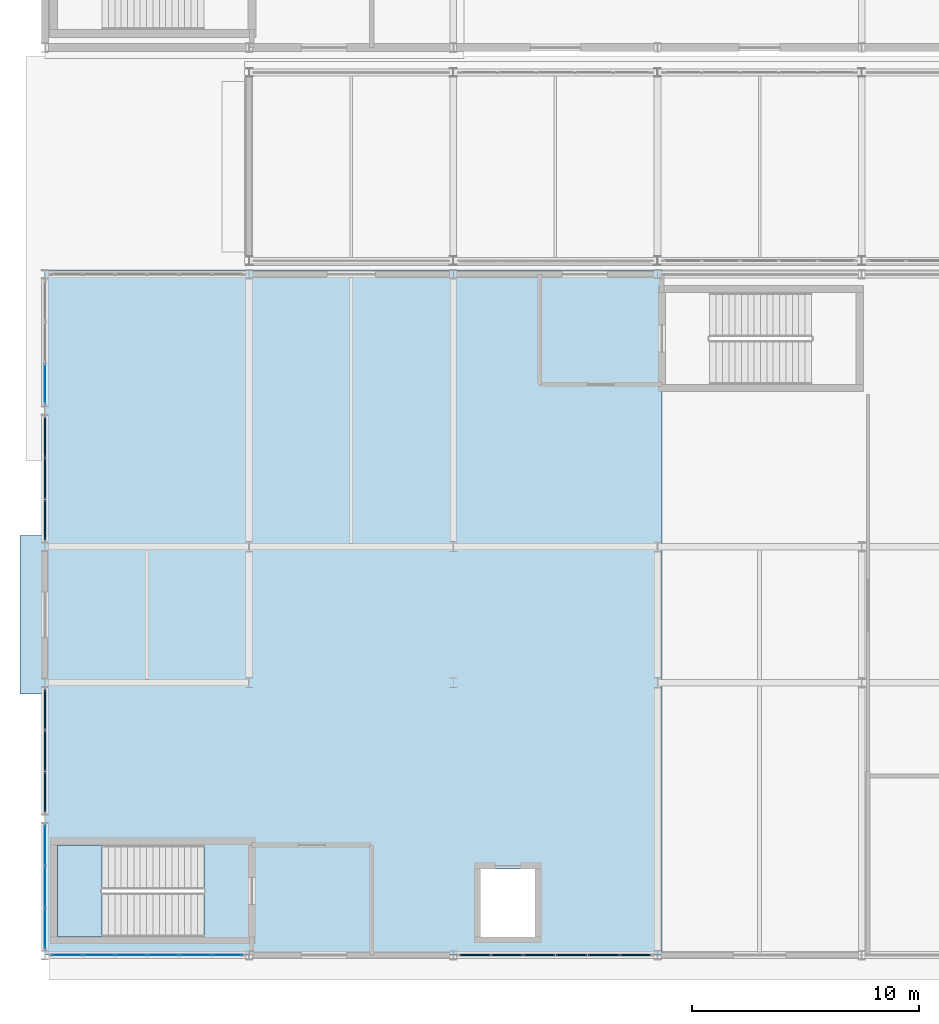
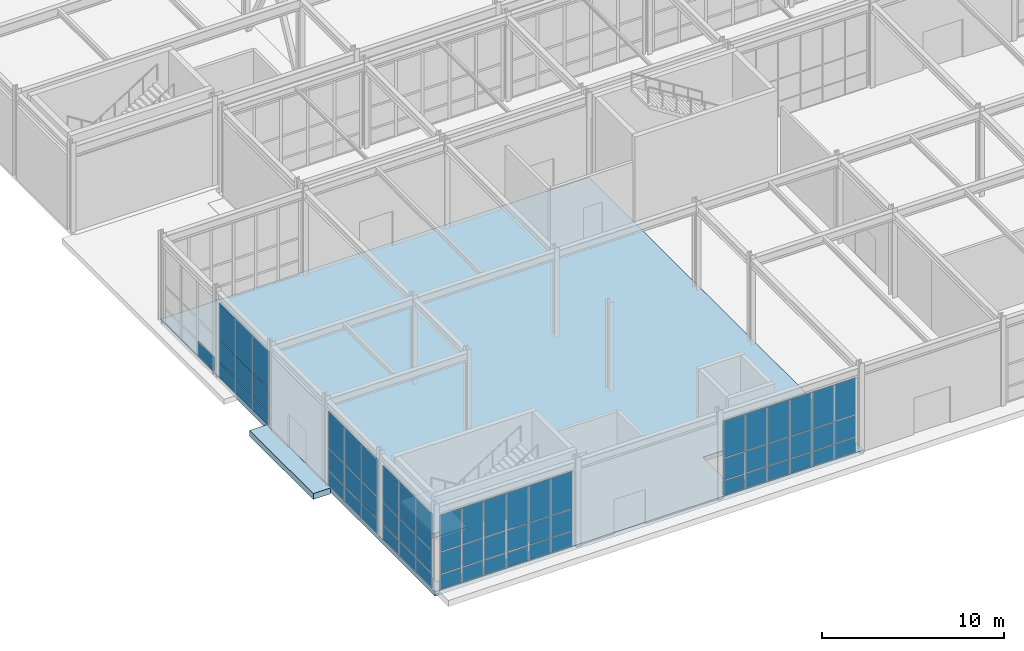
# One storey, part 101 of 146: 64 plates, 4 slabs, 7 elements without a shape of their own.
"""IFC4 building model written with IfcOpenShell, lengths in metres."""

from ifc_helpers import new_model, si_unit, direction, frame, origin, origin_2d, place, context, subcontext, project, spatial, polyline, rectangle, outline, extrude, material, layer, layer_set, type_object, element, aggregate, save


model = new_model("IFC4")

# Units and contexts
model_context = context("Model", 3, precision=1e-05, world=origin(), true_north=direction((0.0, 1.0)))
body_context = subcontext(model_context, "Body", "Model", "MODEL_VIEW")
ifc_project = project(units=[si_unit("LENGTHUNIT", "METRE"), si_unit("AREAUNIT", "SQUARE_METRE"), si_unit("VOLUMEUNIT", "CUBIC_METRE"), si_unit("PLANEANGLEUNIT", "RADIAN"), si_unit("MASSUNIT", "GRAM", prefix="KILO")], contexts=[model_context])

# Site, building, storey
site_placement = place(None, origin())
site = spatial("IfcSite", under=ifc_project, at=site_placement, CompositionType="ELEMENT")
building_placement = place(site_placement, origin())
building = spatial("IfcBuilding", under=site, at=building_placement, Name="Kaldris Quays Convention Centre", CompositionType="ELEMENT")
storey_placement = place(building_placement, origin())
storey = spatial("IfcBuildingStorey", under=building, at=storey_placement, Name="L00", CompositionType="ELEMENT", Elevation=0.0)

# Curtain wall, plate
ifc_material_1 = material(Name="Anodized aluminium AW-6060 and triple glazing", Category="aluminium")
curtain_wall_type_1 = type_object("IfcCurtainWallType", Name="UNITISED CURTAIN WALL CW05", PredefinedType="NOTDEFINED", material=ifc_material_1)
curtain_wall_1_placement = place(storey_placement, origin())
curtain_wall_1 = element("IfcCurtainWall", 1, at=curtain_wall_1_placement, inside=storey, type_object=curtain_wall_type_1, Name="L00 Unitised Curtain Wall CW05 57", PredefinedType="NOTDEFINED")
ifc_material_2 = material(Name="Triple low-E insulated glazing", Category="glass")
plate_type_1 = type_object("IfcPlateType", Name="CURTAIN GLAZING PANEL CWP1", PredefinedType="CURTAIN_PANEL", material=ifc_material_2)
plate_1_placement = place(storey_placement, frame((20.0, 41.181640625, 0.06005859375), z_axis=(0.0, 0.0, 1.0), x_axis=(0.0, 1.0, 0.0)))
plate_1 = element("IfcPlate", 2, at=plate_1_placement, type_object=plate_type_1, Name="CW05 panel 1.1", PredefinedType="CURTAIN_PANEL", context=body_context, shape_type="SweptSolid", body=[
    extrude(rectangle(XDim=1.743408203125, YDim=0.029052734375, at=origin_2d()), origin(), (0.0, 0.0, 1.0), 0.9599609375),
])
aggregate(curtain_wall_1, [plate_1])

# Curtain wall, plates
curtain_wall_type_2 = type_object("IfcCurtainWallType", Name="UNITISED CURTAIN WALL CW01", PredefinedType="NOTDEFINED", material=ifc_material_1)
curtain_wall_2_placement = place(storey_placement, origin())
curtain_wall_2 = element("IfcCurtainWall", 3, at=curtain_wall_2_placement, inside=storey, type_object=curtain_wall_type_2, Name="L00 Unitised Curtain Wall CW01 43", PredefinedType="NOTDEFINED")
plate_type_2 = type_object("IfcPlateType", Name="CURTAIN GLAZING PANEL CWP3", PredefinedType="CURTAIN_PANEL", material=ifc_material_2)
plate_2_placement = place(storey_placement, frame((20.973388671875, 16.0, 0.06005859375), z_axis=(0.0, 0.0, 1.0), x_axis=(1.0, 0.0, 0.0)))
plate_2 = element("IfcPlate", 4, at=plate_2_placement, type_object=plate_type_2, Name="CW01 panel 1.1", PredefinedType="CURTAIN_PANEL", context=body_context, shape_type="SweptSolid", body=[
    extrude(rectangle(XDim=1.32666015625, YDim=0.0390625, at=origin_2d()), origin(), (0.0, 0.0, 1.0), 0.9599609375),
])
plate_3_placement = place(storey_placement, frame((20.973388671875, 16.0, 1.080078125), z_axis=(0.0, 0.0, 1.0), x_axis=(1.0, 0.0, 0.0)))
plate_3 = element("IfcPlate", 5, at=plate_3_placement, type_object=plate_type_2, Name="CW01 panel 1.2", PredefinedType="CURTAIN_PANEL", context=body_context, shape_type="SweptSolid", body=[
    extrude(rectangle(XDim=1.32666015625, YDim=0.0390625, at=origin_2d()), origin(), (0.0, 0.0, 1.0), 1.43896484375),
])
plate_4_placement = place(storey_placement, frame((20.973388671875, 16.0, 2.5791015625), z_axis=(0.0, 0.0, 1.0), x_axis=(1.0, 0.0, 0.0)))
plate_4 = element("IfcPlate", 6, at=plate_4_placement, type_object=plate_type_2, Name="CW01 panel 1.3", PredefinedType="CURTAIN_PANEL", context=body_context, shape_type="SweptSolid", body=[
    extrude(rectangle(XDim=1.32666015625, YDim=0.0390625, at=origin_2d()), origin(), (0.0, 0.0, 1.0), 2.458984375),
])
plate_5_placement = place(storey_placement, frame((22.375, 16.0, 0.06005859375), z_axis=(0.0, 0.0, 1.0), x_axis=(1.0, 0.0, 0.0)))
plate_5 = element("IfcPlate", 7, at=plate_5_placement, type_object=plate_type_2, Name="CW01 panel 2.1", PredefinedType="CURTAIN_PANEL", context=body_context, shape_type="SweptSolid", body=[
    extrude(rectangle(XDim=1.356689453125, YDim=0.0390625, at=origin_2d()), origin(), (0.0, 0.0, 1.0), 0.9599609375),
])
plate_6_placement = place(storey_placement, frame((22.375, 16.0, 1.080078125), z_axis=(0.0, 0.0, 1.0), x_axis=(1.0, 0.0, 0.0)))
plate_6 = element("IfcPlate", 8, at=plate_6_placement, type_object=plate_type_2, Name="CW01 panel 2.2", PredefinedType="CURTAIN_PANEL", context=body_context, shape_type="SweptSolid", body=[
    extrude(rectangle(XDim=1.356689453125, YDim=0.0390625, at=origin_2d()), origin(), (0.0, 0.0, 1.0), 1.43896484375),
])
plate_7_placement = place(storey_placement, frame((22.375, 16.0, 2.5791015625), z_axis=(0.0, 0.0, 1.0), x_axis=(1.0, 0.0, 0.0)))
plate_7 = element("IfcPlate", 9, at=plate_7_placement, type_object=plate_type_2, Name="CW01 panel 2.3", PredefinedType="CURTAIN_PANEL", context=body_context, shape_type="SweptSolid", body=[
    extrude(rectangle(XDim=1.356689453125, YDim=0.0390625, at=origin_2d()), origin(), (0.0, 0.0, 1.0), 2.458984375),
])
plate_8_placement = place(storey_placement, frame((23.791748046875, 16.0, 0.06005859375), z_axis=(0.0, 0.0, 1.0), x_axis=(1.0, 0.0, 0.0)))
plate_8 = element("IfcPlate", 10, at=plate_8_placement, type_object=plate_type_2, Name="CW01 panel 3.1", PredefinedType="CURTAIN_PANEL", context=body_context, shape_type="SweptSolid", body=[
    extrude(rectangle(XDim=1.356689453125, YDim=0.0390625, at=origin_2d()), origin(), (0.0, 0.0, 1.0), 0.9599609375),
])
plate_9_placement = place(storey_placement, frame((23.791748046875, 16.0, 1.080078125), z_axis=(0.0, 0.0, 1.0), x_axis=(1.0, 0.0, 0.0)))
plate_9 = element("IfcPlate", 11, at=plate_9_placement, type_object=plate_type_2, Name="CW01 panel 3.2", PredefinedType="CURTAIN_PANEL", context=body_context, shape_type="SweptSolid", body=[
    extrude(rectangle(XDim=1.356689453125, YDim=0.0390625, at=origin_2d()), origin(), (0.0, 0.0, 1.0), 1.43896484375),
])
plate_10_placement = place(storey_placement, frame((23.791748046875, 16.0, 2.5791015625), z_axis=(0.0, 0.0, 1.0), x_axis=(1.0, 0.0, 0.0)))
plate_10 = element("IfcPlate", 12, at=plate_10_placement, type_object=plate_type_2, Name="CW01 panel 3.3", PredefinedType="CURTAIN_PANEL", context=body_context, shape_type="SweptSolid", body=[
    extrude(rectangle(XDim=1.356689453125, YDim=0.0390625, at=origin_2d()), origin(), (0.0, 0.0, 1.0), 2.458984375),
])
plate_11_placement = place(storey_placement, frame((25.208251953125, 16.0, 0.06005859375), z_axis=(0.0, 0.0, 1.0), x_axis=(1.0, 0.0, 0.0)))
plate_11 = element("IfcPlate", 13, at=plate_11_placement, type_object=plate_type_2, Name="CW01 panel 4.1", PredefinedType="CURTAIN_PANEL", context=body_context, shape_type="SweptSolid", body=[
    extrude(rectangle(XDim=1.356689453125, YDim=0.0390625, at=origin_2d()), origin(), (0.0, 0.0, 1.0), 0.9599609375),
])
plate_12_placement = place(storey_placement, frame((25.208251953125, 16.0, 1.080078125), z_axis=(0.0, 0.0, 1.0), x_axis=(1.0, 0.0, 0.0)))
plate_12 = element("IfcPlate", 14, at=plate_12_placement, type_object=plate_type_2, Name="CW01 panel 4.2", PredefinedType="CURTAIN_PANEL", context=body_context, shape_type="SweptSolid", body=[
    extrude(rectangle(XDim=1.356689453125, YDim=0.0390625, at=origin_2d()), origin(), (0.0, 0.0, 1.0), 1.43896484375),
])
plate_13_placement = place(storey_placement, frame((25.208251953125, 16.0, 2.5791015625), z_axis=(0.0, 0.0, 1.0), x_axis=(1.0, 0.0, 0.0)))
plate_13 = element("IfcPlate", 15, at=plate_13_placement, type_object=plate_type_2, Name="CW01 panel 4.3", PredefinedType="CURTAIN_PANEL", context=body_context, shape_type="SweptSolid", body=[
    extrude(rectangle(XDim=1.356689453125, YDim=0.0390625, at=origin_2d()), origin(), (0.0, 0.0, 1.0), 2.458984375),
])
plate_14_placement = place(storey_placement, frame((26.625, 16.0, 0.06005859375), z_axis=(0.0, 0.0, 1.0), x_axis=(1.0, 0.0, 0.0)))
plate_14 = element("IfcPlate", 16, at=plate_14_placement, type_object=plate_type_2, Name="CW01 panel 5.1", PredefinedType="CURTAIN_PANEL", context=body_context, shape_type="SweptSolid", body=[
    extrude(rectangle(XDim=1.356689453125, YDim=0.0390625, at=origin_2d()), origin(), (0.0, 0.0, 1.0), 0.9599609375),
])
plate_15_placement = place(storey_placement, frame((26.625, 16.0, 1.080078125), z_axis=(0.0, 0.0, 1.0), x_axis=(1.0, 0.0, 0.0)))
plate_15 = element("IfcPlate", 17, at=plate_15_placement, type_object=plate_type_2, Name="CW01 panel 5.2", PredefinedType="CURTAIN_PANEL", context=body_context, shape_type="SweptSolid", body=[
    extrude(rectangle(XDim=1.356689453125, YDim=0.0390625, at=origin_2d()), origin(), (0.0, 0.0, 1.0), 1.43896484375),
])
plate_16_placement = place(storey_placement, frame((26.625, 16.0, 2.5791015625), z_axis=(0.0, 0.0, 1.0), x_axis=(1.0, 0.0, 0.0)))
plate_16 = element("IfcPlate", 18, at=plate_16_placement, type_object=plate_type_2, Name="CW01 panel 5.3", PredefinedType="CURTAIN_PANEL", context=body_context, shape_type="SweptSolid", body=[
    extrude(rectangle(XDim=1.356689453125, YDim=0.0390625, at=origin_2d()), origin(), (0.0, 0.0, 1.0), 2.458984375),
])
plate_17_placement = place(storey_placement, frame((28.026611328125, 16.0, 0.06005859375), z_axis=(0.0, 0.0, 1.0), x_axis=(1.0, 0.0, 0.0)))
plate_17 = element("IfcPlate", 19, at=plate_17_placement, type_object=plate_type_2, Name="CW01 panel 6.1", PredefinedType="CURTAIN_PANEL", context=body_context, shape_type="SweptSolid", body=[
    extrude(rectangle(XDim=1.32666015625, YDim=0.0390625, at=origin_2d()), origin(), (0.0, 0.0, 1.0), 0.9599609375),
])
plate_18_placement = place(storey_placement, frame((28.026611328125, 16.0, 1.080078125), z_axis=(0.0, 0.0, 1.0), x_axis=(1.0, 0.0, 0.0)))
plate_18 = element("IfcPlate", 20, at=plate_18_placement, type_object=plate_type_2, Name="CW01 panel 6.2", PredefinedType="CURTAIN_PANEL", context=body_context, shape_type="SweptSolid", body=[
    extrude(rectangle(XDim=1.32666015625, YDim=0.0390625, at=origin_2d()), origin(), (0.0, 0.0, 1.0), 1.43896484375),
])
plate_19_placement = place(storey_placement, frame((28.026611328125, 16.0, 2.5791015625), z_axis=(0.0, 0.0, 1.0), x_axis=(1.0, 0.0, 0.0)))
plate_19 = element("IfcPlate", 21, at=plate_19_placement, type_object=plate_type_2, Name="CW01 panel 6.3", PredefinedType="CURTAIN_PANEL", context=body_context, shape_type="SweptSolid", body=[
    extrude(rectangle(XDim=1.32666015625, YDim=0.0390625, at=origin_2d()), origin(), (0.0, 0.0, 1.0), 2.458984375),
])
aggregate(curtain_wall_2, [plate_2, plate_3, plate_4, plate_5, plate_6, plate_7, plate_8, plate_9, plate_10, plate_11, plate_12, plate_13, plate_14, plate_15, plate_16, plate_17, plate_18, plate_19])

curtain_wall_3_placement = place(storey_placement, origin())
curtain_wall_3 = element("IfcCurtainWall", 22, at=curtain_wall_3_placement, inside=storey, type_object=curtain_wall_type_1, Name="L00 Unitised Curtain Wall CW05 51", PredefinedType="NOTDEFINED")
plate_20_placement = place(storey_placement, frame((20.0, 17.181640625, 0.06005859375), z_axis=(0.0, 0.0, 1.0), x_axis=(0.0, 1.0, 0.0)))
plate_20 = element("IfcPlate", 23, at=plate_20_placement, type_object=plate_type_2, Name="CW05 panel 1.1", PredefinedType="CURTAIN_PANEL", context=body_context, shape_type="SweptSolid", body=[
    extrude(rectangle(XDim=1.743408203125, YDim=0.0390625, at=origin_2d()), origin(), (0.0, 0.0, 1.0), 0.9599609375),
])
plate_21_placement = place(storey_placement, frame((20.0, 17.181640625, 1.080078125), z_axis=(0.0, 0.0, 1.0), x_axis=(0.0, 1.0, 0.0)))
plate_21 = element("IfcPlate", 24, at=plate_21_placement, type_object=plate_type_2, Name="CW05 panel 1.2", PredefinedType="CURTAIN_PANEL", context=body_context, shape_type="SweptSolid", body=[
    extrude(rectangle(XDim=1.743408203125, YDim=0.0390625, at=origin_2d()), origin(), (0.0, 0.0, 1.0), 1.43896484375),
])
plate_22_placement = place(storey_placement, frame((20.0, 17.181640625, 2.5791015625), z_axis=(0.0, 0.0, 1.0), x_axis=(0.0, 1.0, 0.0)))
plate_22 = element("IfcPlate", 25, at=plate_22_placement, type_object=plate_type_2, Name="CW05 panel 1.3", PredefinedType="CURTAIN_PANEL", context=body_context, shape_type="SweptSolid", body=[
    extrude(rectangle(XDim=1.743408203125, YDim=0.0390625, at=origin_2d()), origin(), (0.0, 0.0, 1.0), 2.458984375),
])
plate_23_placement = place(storey_placement, frame((20.0, 19.0, 0.06005859375), z_axis=(0.0, 0.0, 1.0), x_axis=(0.0, 1.0, 0.0)))
plate_23 = element("IfcPlate", 26, at=plate_23_placement, type_object=plate_type_2, Name="CW05 panel 2.1", PredefinedType="CURTAIN_PANEL", context=body_context, shape_type="SweptSolid", body=[
    extrude(rectangle(XDim=1.7734375, YDim=0.0390625, at=origin_2d()), origin(), (0.0, 0.0, 1.0), 0.9599609375),
])
plate_24_placement = place(storey_placement, frame((20.0, 19.0, 1.080078125), z_axis=(0.0, 0.0, 1.0), x_axis=(0.0, 1.0, 0.0)))
plate_24 = element("IfcPlate", 27, at=plate_24_placement, type_object=plate_type_2, Name="CW05 panel 2.2", PredefinedType="CURTAIN_PANEL", context=body_context, shape_type="SweptSolid", body=[
    extrude(rectangle(XDim=1.7734375, YDim=0.0390625, at=origin_2d()), origin(), (0.0, 0.0, 1.0), 1.43896484375),
])
plate_25_placement = place(storey_placement, frame((20.0, 19.0, 2.5791015625), z_axis=(0.0, 0.0, 1.0), x_axis=(0.0, 1.0, 0.0)))
plate_25 = element("IfcPlate", 28, at=plate_25_placement, type_object=plate_type_2, Name="CW05 panel 2.3", PredefinedType="CURTAIN_PANEL", context=body_context, shape_type="SweptSolid", body=[
    extrude(rectangle(XDim=1.7734375, YDim=0.0390625, at=origin_2d()), origin(), (0.0, 0.0, 1.0), 2.458984375),
])
plate_26_placement = place(storey_placement, frame((20.0, 20.818359375, 0.06005859375), z_axis=(0.0, 0.0, 1.0), x_axis=(0.0, 1.0, 0.0)))
plate_26 = element("IfcPlate", 29, at=plate_26_placement, type_object=plate_type_2, Name="CW05 panel 3.1", PredefinedType="CURTAIN_PANEL", context=body_context, shape_type="SweptSolid", body=[
    extrude(rectangle(XDim=1.743408203125, YDim=0.0390625, at=origin_2d()), origin(), (0.0, 0.0, 1.0), 0.9599609375),
])
plate_27_placement = place(storey_placement, frame((20.0, 20.818359375, 1.080078125), z_axis=(0.0, 0.0, 1.0), x_axis=(0.0, 1.0, 0.0)))
plate_27 = element("IfcPlate", 30, at=plate_27_placement, type_object=plate_type_2, Name="CW05 panel 3.2", PredefinedType="CURTAIN_PANEL", context=body_context, shape_type="SweptSolid", body=[
    extrude(rectangle(XDim=1.743408203125, YDim=0.0390625, at=origin_2d()), origin(), (0.0, 0.0, 1.0), 1.43896484375),
])
plate_28_placement = place(storey_placement, frame((20.0, 20.818359375, 2.5791015625), z_axis=(0.0, 0.0, 1.0), x_axis=(0.0, 1.0, 0.0)))
plate_28 = element("IfcPlate", 31, at=plate_28_placement, type_object=plate_type_2, Name="CW05 panel 3.3", PredefinedType="CURTAIN_PANEL", context=body_context, shape_type="SweptSolid", body=[
    extrude(rectangle(XDim=1.743408203125, YDim=0.0390625, at=origin_2d()), origin(), (0.0, 0.0, 1.0), 2.458984375),
])
aggregate(curtain_wall_3, [plate_20, plate_21, plate_22, plate_23, plate_24, plate_25, plate_26, plate_27, plate_28])

curtain_wall_4_placement = place(storey_placement, origin())
curtain_wall_4 = element("IfcCurtainWall", 32, at=curtain_wall_4_placement, inside=storey, type_object=curtain_wall_type_2, Name="L00 Unitised Curtain Wall CW01 45", PredefinedType="NOTDEFINED")
plate_type_3 = type_object("IfcPlateType", Name="CURTAIN GLAZING PANEL CWP5", PredefinedType="CURTAIN_PANEL", material=ifc_material_2)
plate_29_placement = place(storey_placement, frame((38.973388671875, 16.0, 0.06005859375), z_axis=(0.0, 0.0, 1.0), x_axis=(1.0, 0.0, 0.0)))
plate_29 = element("IfcPlate", 33, at=plate_29_placement, type_object=plate_type_3, Name="CW01 panel 1.1", PredefinedType="CURTAIN_PANEL", context=body_context, shape_type="SweptSolid", body=[
    extrude(rectangle(XDim=1.32666015625, YDim=0.049072265625, at=origin_2d()), origin(), (0.0, 0.0, 1.0), 0.9599609375),
])
plate_30_placement = place(storey_placement, frame((38.973388671875, 16.0, 1.080078125), z_axis=(0.0, 0.0, 1.0), x_axis=(1.0, 0.0, 0.0)))
plate_30 = element("IfcPlate", 34, at=plate_30_placement, type_object=plate_type_3, Name="CW01 panel 1.2", PredefinedType="CURTAIN_PANEL", context=body_context, shape_type="SweptSolid", body=[
    extrude(rectangle(XDim=1.32666015625, YDim=0.049072265625, at=origin_2d()), origin(), (0.0, 0.0, 1.0), 1.43896484375),
])
plate_31_placement = place(storey_placement, frame((38.973388671875, 16.0, 2.5791015625), z_axis=(0.0, 0.0, 1.0), x_axis=(1.0, 0.0, 0.0)))
plate_31 = element("IfcPlate", 35, at=plate_31_placement, type_object=plate_type_3, Name="CW01 panel 1.3", PredefinedType="CURTAIN_PANEL", context=body_context, shape_type="SweptSolid", body=[
    extrude(rectangle(XDim=1.32666015625, YDim=0.049072265625, at=origin_2d()), origin(), (0.0, 0.0, 1.0), 2.458984375),
])
plate_32_placement = place(storey_placement, frame((40.375, 16.0, 0.06005859375), z_axis=(0.0, 0.0, 1.0), x_axis=(1.0, 0.0, 0.0)))
plate_32 = element("IfcPlate", 36, at=plate_32_placement, type_object=plate_type_3, Name="CW01 panel 2.1", PredefinedType="CURTAIN_PANEL", context=body_context, shape_type="SweptSolid", body=[
    extrude(rectangle(XDim=1.356689453125, YDim=0.049072265625, at=origin_2d()), origin(), (0.0, 0.0, 1.0), 0.9599609375),
])
plate_33_placement = place(storey_placement, frame((40.375, 16.0, 1.080078125), z_axis=(0.0, 0.0, 1.0), x_axis=(1.0, 0.0, 0.0)))
plate_33 = element("IfcPlate", 37, at=plate_33_placement, type_object=plate_type_3, Name="CW01 panel 2.2", PredefinedType="CURTAIN_PANEL", context=body_context, shape_type="SweptSolid", body=[
    extrude(rectangle(XDim=1.356689453125, YDim=0.049072265625, at=origin_2d()), origin(), (0.0, 0.0, 1.0), 1.43896484375),
])
plate_34_placement = place(storey_placement, frame((40.375, 16.0, 2.5791015625), z_axis=(0.0, 0.0, 1.0), x_axis=(1.0, 0.0, 0.0)))
plate_34 = element("IfcPlate", 38, at=plate_34_placement, type_object=plate_type_3, Name="CW01 panel 2.3", PredefinedType="CURTAIN_PANEL", context=body_context, shape_type="SweptSolid", body=[
    extrude(rectangle(XDim=1.356689453125, YDim=0.049072265625, at=origin_2d()), origin(), (0.0, 0.0, 1.0), 2.458984375),
])
plate_35_placement = place(storey_placement, frame((41.791748046875, 16.0, 0.06005859375), z_axis=(0.0, 0.0, 1.0), x_axis=(1.0, 0.0, 0.0)))
plate_35 = element("IfcPlate", 39, at=plate_35_placement, type_object=plate_type_3, Name="CW01 panel 3.1", PredefinedType="CURTAIN_PANEL", context=body_context, shape_type="SweptSolid", body=[
    extrude(rectangle(XDim=1.356689453125, YDim=0.049072265625, at=origin_2d()), origin(), (0.0, 0.0, 1.0), 0.9599609375),
])
plate_36_placement = place(storey_placement, frame((41.791748046875, 16.0, 1.080078125), z_axis=(0.0, 0.0, 1.0), x_axis=(1.0, 0.0, 0.0)))
plate_36 = element("IfcPlate", 40, at=plate_36_placement, type_object=plate_type_3, Name="CW01 panel 3.2", PredefinedType="CURTAIN_PANEL", context=body_context, shape_type="SweptSolid", body=[
    extrude(rectangle(XDim=1.356689453125, YDim=0.049072265625, at=origin_2d()), origin(), (0.0, 0.0, 1.0), 1.43896484375),
])
plate_37_placement = place(storey_placement, frame((41.791748046875, 16.0, 2.5791015625), z_axis=(0.0, 0.0, 1.0), x_axis=(1.0, 0.0, 0.0)))
plate_37 = element("IfcPlate", 41, at=plate_37_placement, type_object=plate_type_3, Name="CW01 panel 3.3", PredefinedType="CURTAIN_PANEL", context=body_context, shape_type="SweptSolid", body=[
    extrude(rectangle(XDim=1.356689453125, YDim=0.049072265625, at=origin_2d()), origin(), (0.0, 0.0, 1.0), 2.458984375),
])
plate_38_placement = place(storey_placement, frame((43.208251953125, 16.0, 0.06005859375), z_axis=(0.0, 0.0, 1.0), x_axis=(1.0, 0.0, 0.0)))
plate_38 = element("IfcPlate", 42, at=plate_38_placement, type_object=plate_type_3, Name="CW01 panel 4.1", PredefinedType="CURTAIN_PANEL", context=body_context, shape_type="SweptSolid", body=[
    extrude(rectangle(XDim=1.356689453125, YDim=0.049072265625, at=origin_2d()), origin(), (0.0, 0.0, 1.0), 0.9599609375),
])
plate_39_placement = place(storey_placement, frame((43.208251953125, 16.0, 1.080078125), z_axis=(0.0, 0.0, 1.0), x_axis=(1.0, 0.0, 0.0)))
plate_39 = element("IfcPlate", 43, at=plate_39_placement, type_object=plate_type_3, Name="CW01 panel 4.2", PredefinedType="CURTAIN_PANEL", context=body_context, shape_type="SweptSolid", body=[
    extrude(rectangle(XDim=1.356689453125, YDim=0.049072265625, at=origin_2d()), origin(), (0.0, 0.0, 1.0), 1.43896484375),
])
plate_40_placement = place(storey_placement, frame((43.208251953125, 16.0, 2.5791015625), z_axis=(0.0, 0.0, 1.0), x_axis=(1.0, 0.0, 0.0)))
plate_40 = element("IfcPlate", 44, at=plate_40_placement, type_object=plate_type_3, Name="CW01 panel 4.3", PredefinedType="CURTAIN_PANEL", context=body_context, shape_type="SweptSolid", body=[
    extrude(rectangle(XDim=1.356689453125, YDim=0.049072265625, at=origin_2d()), origin(), (0.0, 0.0, 1.0), 2.458984375),
])
plate_41_placement = place(storey_placement, frame((44.625, 16.0, 0.06005859375), z_axis=(0.0, 0.0, 1.0), x_axis=(1.0, 0.0, 0.0)))
plate_41 = element("IfcPlate", 45, at=plate_41_placement, type_object=plate_type_3, Name="CW01 panel 5.1", PredefinedType="CURTAIN_PANEL", context=body_context, shape_type="SweptSolid", body=[
    extrude(rectangle(XDim=1.356689453125, YDim=0.049072265625, at=origin_2d()), origin(), (0.0, 0.0, 1.0), 0.9599609375),
])
plate_42_placement = place(storey_placement, frame((44.625, 16.0, 1.080078125), z_axis=(0.0, 0.0, 1.0), x_axis=(1.0, 0.0, 0.0)))
plate_42 = element("IfcPlate", 46, at=plate_42_placement, type_object=plate_type_3, Name="CW01 panel 5.2", PredefinedType="CURTAIN_PANEL", context=body_context, shape_type="SweptSolid", body=[
    extrude(rectangle(XDim=1.356689453125, YDim=0.049072265625, at=origin_2d()), origin(), (0.0, 0.0, 1.0), 1.43896484375),
])
plate_43_placement = place(storey_placement, frame((44.625, 16.0, 2.5791015625), z_axis=(0.0, 0.0, 1.0), x_axis=(1.0, 0.0, 0.0)))
plate_43 = element("IfcPlate", 47, at=plate_43_placement, type_object=plate_type_3, Name="CW01 panel 5.3", PredefinedType="CURTAIN_PANEL", context=body_context, shape_type="SweptSolid", body=[
    extrude(rectangle(XDim=1.356689453125, YDim=0.049072265625, at=origin_2d()), origin(), (0.0, 0.0, 1.0), 2.458984375),
])
plate_44_placement = place(storey_placement, frame((46.026611328125, 16.0, 0.06005859375), z_axis=(0.0, 0.0, 1.0), x_axis=(1.0, 0.0, 0.0)))
plate_44 = element("IfcPlate", 48, at=plate_44_placement, type_object=plate_type_3, Name="CW01 panel 6.1", PredefinedType="CURTAIN_PANEL", context=body_context, shape_type="SweptSolid", body=[
    extrude(rectangle(XDim=1.32666015625, YDim=0.049072265625, at=origin_2d()), origin(), (0.0, 0.0, 1.0), 0.9599609375),
])
plate_45_placement = place(storey_placement, frame((46.026611328125, 16.0, 1.080078125), z_axis=(0.0, 0.0, 1.0), x_axis=(1.0, 0.0, 0.0)))
plate_45 = element("IfcPlate", 49, at=plate_45_placement, type_object=plate_type_3, Name="CW01 panel 6.2", PredefinedType="CURTAIN_PANEL", context=body_context, shape_type="SweptSolid", body=[
    extrude(rectangle(XDim=1.32666015625, YDim=0.049072265625, at=origin_2d()), origin(), (0.0, 0.0, 1.0), 1.43896484375),
])
plate_46_placement = place(storey_placement, frame((46.026611328125, 16.0, 2.5791015625), z_axis=(0.0, 0.0, 1.0), x_axis=(1.0, 0.0, 0.0)))
plate_46 = element("IfcPlate", 50, at=plate_46_placement, type_object=plate_type_3, Name="CW01 panel 6.3", PredefinedType="CURTAIN_PANEL", context=body_context, shape_type="SweptSolid", body=[
    extrude(rectangle(XDim=1.32666015625, YDim=0.049072265625, at=origin_2d()), origin(), (0.0, 0.0, 1.0), 2.458984375),
])
aggregate(curtain_wall_4, [plate_29, plate_30, plate_31, plate_32, plate_33, plate_34, plate_35, plate_36, plate_37, plate_38, plate_39, plate_40, plate_41, plate_42, plate_43, plate_44, plate_45, plate_46])

curtain_wall_5_placement = place(storey_placement, origin())
curtain_wall_5 = element("IfcCurtainWall", 51, at=curtain_wall_5_placement, inside=storey, type_object=curtain_wall_type_1, Name="L00 Unitised Curtain Wall CW05 53", PredefinedType="NOTDEFINED")
plate_47_placement = place(storey_placement, frame((20.0, 23.181640625, 0.06005859375), z_axis=(0.0, 0.0, 1.0), x_axis=(0.0, 1.0, 0.0)))
plate_47 = element("IfcPlate", 52, at=plate_47_placement, type_object=plate_type_3, Name="CW05 panel 1.1", PredefinedType="CURTAIN_PANEL", context=body_context, shape_type="SweptSolid", body=[
    extrude(rectangle(XDim=1.743408203125, YDim=0.049072265625, at=origin_2d()), origin(), (0.0, 0.0, 1.0), 0.9599609375),
])
plate_48_placement = place(storey_placement, frame((20.0, 23.181640625, 1.080078125), z_axis=(0.0, 0.0, 1.0), x_axis=(0.0, 1.0, 0.0)))
plate_48 = element("IfcPlate", 53, at=plate_48_placement, type_object=plate_type_3, Name="CW05 panel 1.2", PredefinedType="CURTAIN_PANEL", context=body_context, shape_type="SweptSolid", body=[
    extrude(rectangle(XDim=1.743408203125, YDim=0.049072265625, at=origin_2d()), origin(), (0.0, 0.0, 1.0), 1.43896484375),
])
plate_49_placement = place(storey_placement, frame((20.0, 23.181640625, 2.5791015625), z_axis=(0.0, 0.0, 1.0), x_axis=(0.0, 1.0, 0.0)))
plate_49 = element("IfcPlate", 54, at=plate_49_placement, type_object=plate_type_3, Name="CW05 panel 1.3", PredefinedType="CURTAIN_PANEL", context=body_context, shape_type="SweptSolid", body=[
    extrude(rectangle(XDim=1.743408203125, YDim=0.049072265625, at=origin_2d()), origin(), (0.0, 0.0, 1.0), 2.458984375),
])
plate_50_placement = place(storey_placement, frame((20.0, 25.0, 0.06005859375), z_axis=(0.0, 0.0, 1.0), x_axis=(0.0, 1.0, 0.0)))
plate_50 = element("IfcPlate", 55, at=plate_50_placement, type_object=plate_type_3, Name="CW05 panel 2.1", PredefinedType="CURTAIN_PANEL", context=body_context, shape_type="SweptSolid", body=[
    extrude(rectangle(XDim=1.7734375, YDim=0.049072265625, at=origin_2d()), origin(), (0.0, 0.0, 1.0), 0.9599609375),
])
plate_51_placement = place(storey_placement, frame((20.0, 25.0, 1.080078125), z_axis=(0.0, 0.0, 1.0), x_axis=(0.0, 1.0, 0.0)))
plate_51 = element("IfcPlate", 56, at=plate_51_placement, type_object=plate_type_3, Name="CW05 panel 2.2", PredefinedType="CURTAIN_PANEL", context=body_context, shape_type="SweptSolid", body=[
    extrude(rectangle(XDim=1.7734375, YDim=0.049072265625, at=origin_2d()), origin(), (0.0, 0.0, 1.0), 1.43896484375),
])
plate_52_placement = place(storey_placement, frame((20.0, 25.0, 2.5791015625), z_axis=(0.0, 0.0, 1.0), x_axis=(0.0, 1.0, 0.0)))
plate_52 = element("IfcPlate", 57, at=plate_52_placement, type_object=plate_type_3, Name="CW05 panel 2.3", PredefinedType="CURTAIN_PANEL", context=body_context, shape_type="SweptSolid", body=[
    extrude(rectangle(XDim=1.7734375, YDim=0.049072265625, at=origin_2d()), origin(), (0.0, 0.0, 1.0), 2.458984375),
])
plate_53_placement = place(storey_placement, frame((20.0, 26.818359375, 0.06005859375), z_axis=(0.0, 0.0, 1.0), x_axis=(0.0, 1.0, 0.0)))
plate_53 = element("IfcPlate", 58, at=plate_53_placement, type_object=plate_type_3, Name="CW05 panel 3.1", PredefinedType="CURTAIN_PANEL", context=body_context, shape_type="SweptSolid", body=[
    extrude(rectangle(XDim=1.743408203125, YDim=0.049072265625, at=origin_2d()), origin(), (0.0, 0.0, 1.0), 0.9599609375),
])
plate_54_placement = place(storey_placement, frame((20.0, 26.818359375, 1.080078125), z_axis=(0.0, 0.0, 1.0), x_axis=(0.0, 1.0, 0.0)))
plate_54 = element("IfcPlate", 59, at=plate_54_placement, type_object=plate_type_3, Name="CW05 panel 3.2", PredefinedType="CURTAIN_PANEL", context=body_context, shape_type="SweptSolid", body=[
    extrude(rectangle(XDim=1.743408203125, YDim=0.049072265625, at=origin_2d()), origin(), (0.0, 0.0, 1.0), 1.43896484375),
])
plate_55_placement = place(storey_placement, frame((20.0, 26.818359375, 2.5791015625), z_axis=(0.0, 0.0, 1.0), x_axis=(0.0, 1.0, 0.0)))
plate_55 = element("IfcPlate", 60, at=plate_55_placement, type_object=plate_type_3, Name="CW05 panel 3.3", PredefinedType="CURTAIN_PANEL", context=body_context, shape_type="SweptSolid", body=[
    extrude(rectangle(XDim=1.743408203125, YDim=0.049072265625, at=origin_2d()), origin(), (0.0, 0.0, 1.0), 2.458984375),
])
aggregate(curtain_wall_5, [plate_47, plate_48, plate_49, plate_50, plate_51, plate_52, plate_53, plate_54, plate_55])

curtain_wall_6_placement = place(storey_placement, origin())
curtain_wall_6 = element("IfcCurtainWall", 61, at=curtain_wall_6_placement, inside=storey, type_object=curtain_wall_type_1, Name="L00 Unitised Curtain Wall CW05 55", PredefinedType="NOTDEFINED")
plate_type_4 = type_object("IfcPlateType", Name="CURTAIN GLAZING PANEL CWP7", PredefinedType="CURTAIN_PANEL", material=ifc_material_2)
plate_56_placement = place(storey_placement, frame((20.0, 35.181640625, 0.06005859375), z_axis=(0.0, 0.0, 1.0), x_axis=(0.0, 1.0, 0.0)))
plate_56 = element("IfcPlate", 62, at=plate_56_placement, type_object=plate_type_4, Name="CW05 panel 1.1", PredefinedType="CURTAIN_PANEL", context=body_context, shape_type="SweptSolid", body=[
    extrude(rectangle(XDim=1.743408203125, YDim=0.05908203125, at=origin_2d()), origin(), (0.0, 0.0, 1.0), 0.9599609375),
])
plate_57_placement = place(storey_placement, frame((20.0, 35.181640625, 1.080078125), z_axis=(0.0, 0.0, 1.0), x_axis=(0.0, 1.0, 0.0)))
plate_57 = element("IfcPlate", 63, at=plate_57_placement, type_object=plate_type_4, Name="CW05 panel 1.2", PredefinedType="CURTAIN_PANEL", context=body_context, shape_type="SweptSolid", body=[
    extrude(rectangle(XDim=1.743408203125, YDim=0.05908203125, at=origin_2d()), origin(), (0.0, 0.0, 1.0), 1.43896484375),
])
plate_58_placement = place(storey_placement, frame((20.0, 35.181640625, 2.5791015625), z_axis=(0.0, 0.0, 1.0), x_axis=(0.0, 1.0, 0.0)))
plate_58 = element("IfcPlate", 64, at=plate_58_placement, type_object=plate_type_4, Name="CW05 panel 1.3", PredefinedType="CURTAIN_PANEL", context=body_context, shape_type="SweptSolid", body=[
    extrude(rectangle(XDim=1.743408203125, YDim=0.05908203125, at=origin_2d()), origin(), (0.0, 0.0, 1.0), 2.458984375),
])
plate_59_placement = place(storey_placement, frame((20.0, 37.0, 0.06005859375), z_axis=(0.0, 0.0, 1.0), x_axis=(0.0, 1.0, 0.0)))
plate_59 = element("IfcPlate", 65, at=plate_59_placement, type_object=plate_type_4, Name="CW05 panel 2.1", PredefinedType="CURTAIN_PANEL", context=body_context, shape_type="SweptSolid", body=[
    extrude(rectangle(XDim=1.7734375, YDim=0.05908203125, at=origin_2d()), origin(), (0.0, 0.0, 1.0), 0.9599609375),
])
plate_60_placement = place(storey_placement, frame((20.0, 37.0, 1.080078125), z_axis=(0.0, 0.0, 1.0), x_axis=(0.0, 1.0, 0.0)))
plate_60 = element("IfcPlate", 66, at=plate_60_placement, type_object=plate_type_4, Name="CW05 panel 2.2", PredefinedType="CURTAIN_PANEL", context=body_context, shape_type="SweptSolid", body=[
    extrude(rectangle(XDim=1.7734375, YDim=0.05908203125, at=origin_2d()), origin(), (0.0, 0.0, 1.0), 1.43896484375),
])
plate_61_placement = place(storey_placement, frame((20.0, 37.0, 2.5791015625), z_axis=(0.0, 0.0, 1.0), x_axis=(0.0, 1.0, 0.0)))
plate_61 = element("IfcPlate", 67, at=plate_61_placement, type_object=plate_type_4, Name="CW05 panel 2.3", PredefinedType="CURTAIN_PANEL", context=body_context, shape_type="SweptSolid", body=[
    extrude(rectangle(XDim=1.7734375, YDim=0.05908203125, at=origin_2d()), origin(), (0.0, 0.0, 1.0), 2.458984375),
])
plate_62_placement = place(storey_placement, frame((20.0, 38.818359375, 0.06005859375), z_axis=(0.0, 0.0, 1.0), x_axis=(0.0, 1.0, 0.0)))
plate_62 = element("IfcPlate", 68, at=plate_62_placement, type_object=plate_type_4, Name="CW05 panel 3.1", PredefinedType="CURTAIN_PANEL", context=body_context, shape_type="SweptSolid", body=[
    extrude(rectangle(XDim=1.743408203125, YDim=0.05908203125, at=origin_2d()), origin(), (0.0, 0.0, 1.0), 0.9599609375),
])
plate_63_placement = place(storey_placement, frame((20.0, 38.818359375, 1.080078125), z_axis=(0.0, 0.0, 1.0), x_axis=(0.0, 1.0, 0.0)))
plate_63 = element("IfcPlate", 69, at=plate_63_placement, type_object=plate_type_4, Name="CW05 panel 3.2", PredefinedType="CURTAIN_PANEL", context=body_context, shape_type="SweptSolid", body=[
    extrude(rectangle(XDim=1.743408203125, YDim=0.05908203125, at=origin_2d()), origin(), (0.0, 0.0, 1.0), 1.43896484375),
])
plate_64_placement = place(storey_placement, frame((20.0, 38.818359375, 2.5791015625), z_axis=(0.0, 0.0, 1.0), x_axis=(0.0, 1.0, 0.0)))
plate_64 = element("IfcPlate", 70, at=plate_64_placement, type_object=plate_type_4, Name="CW05 panel 3.3", PredefinedType="CURTAIN_PANEL", context=body_context, shape_type="SweptSolid", body=[
    extrude(rectangle(XDim=1.743408203125, YDim=0.05908203125, at=origin_2d()), origin(), (0.0, 0.0, 1.0), 2.458984375),
])
aggregate(curtain_wall_6, [plate_56, plate_57, plate_58, plate_59, plate_60, plate_61, plate_62, plate_63, plate_64])

# Stair, slab
ifc_material_3 = material(Name="Concrete C35/45", Category="concrete")
stair_type = type_object("IfcStairType", Name="DOGLEG ESCAPE STAIR STF2", PredefinedType="TWO_STRAIGHT_RUN_STAIR", material=ifc_material_3)
stair_placement = place(storey_placement, origin())
stair = element("IfcStair", 71, at=stair_placement, inside=storey, type_object=stair_type, Name="L00 Escape Stair ST05", PredefinedType="TWO_STRAIGHT_RUN_STAIR")
ifc_layer_1 = layer(ifc_material_3, 0.205078125)
ifc_layer_set_1 = layer_set([ifc_layer_1], Name="Concrete C35/45")
slab_type_1 = type_object("IfcSlabType", Name="STAIR LANDING SLAB LS01", PredefinedType="LANDING", material=ifc_layer_set_1)
slab_1_placement = place(storey_placement, frame((0.0, 0.0, 2.794921875)))
slab_1 = element("IfcSlab", 72, at=slab_1_placement, type_object=slab_type_1, Name="STF2 landing 1", PredefinedType="LANDING", context=body_context, shape_type="SweptSolid", body=[
    extrude(outline(polyline([(22.52001953125, 20.85009765625), (20.550048828125, 20.85009765625), (20.550048828125, 16.800048828125), (22.52001953125, 16.800048828125), (22.52001953125, 20.85009765625)])), origin(), (0.0, 0.0, 1.0), 0.205078125),
])
aggregate(stair, [slab_1])

# Slabs
ifc_layer_2 = layer(ifc_material_3, 0.39990234375)
ifc_layer_set_2 = layer_set([ifc_layer_2], Name="Concrete C35/45")
slab_type_2 = type_object("IfcSlabType", Name="STRUCTURAL SLAB BS03", PredefinedType="BASESLAB", material=ifc_layer_set_2)
slab_2_placement = place(storey_placement, frame((0.0, 0.0, -0.39990234375)))
element("IfcSlab", 73, at=slab_2_placement, inside=storey, type_object=slab_type_2, Name="L00 Entrance Threshold Apron 5 SLAB-L00-THRESH-5", PredefinedType="BASESLAB", context=body_context, shape_type="SweptSolid", body=[
    extrude(outline(polyline([(18.89990234375, 27.5), (18.89990234375, 34.5), (19.998046875, 34.5), (19.998046875, 27.5), (18.89990234375, 27.5)])), origin(), (0.0, 0.0, 1.0), 0.39990234375),
])
ifc_layer_3 = layer(ifc_material_3, 0.294921875)
ifc_layer_set_3 = layer_set([ifc_layer_3], Name="Concrete C35/45")
slab_type_3 = type_object("IfcSlabType", Name="STRUCTURAL SLAB FS04", PredefinedType="FLOOR", material=ifc_layer_set_3)
slab_3_placement = place(storey_placement, frame((0.0, 0.0, -0.294921875)))
element("IfcSlab", 74, at=slab_3_placement, inside=storey, type_object=slab_type_3, Name="L00 V3 Arrival Slab A SLAB-L00-V3A", PredefinedType="FLOOR", context=body_context, shape_type="SweptSolid", body=[
    extrude(outline(polyline([(20.0, 16.0), (20.0, 46.199951171875), (47.199951171875, 46.199951171875), (47.199951171875, 16.0), (20.0, 16.0)]), holes=[polyline([(41.60009765625, 19.800048828125), (39.199951171875, 19.800048828125), (39.199951171875, 16.800048828125), (41.60009765625, 16.800048828125), (41.60009765625, 19.800048828125)]), polyline([(29.07177734375, 16.67919921875), (29.07080078125, 20.9716796875), (26.999755859375, 20.971923828125), (26.998046875, 20.85009765625), (20.550048828125, 20.85009765625), (20.550048828125, 16.800048828125), (26.998046875, 16.800048828125), (26.999755859375, 16.677978515625), (29.07177734375, 16.67919921875)])]), origin(), (0.0, 0.0, 1.0), 0.294921875),
])
ifc_layer_4 = layer(ifc_material_3, 0.27490234375)
ifc_layer_set_4 = layer_set([ifc_layer_4], Name="Concrete C35/45")
slab_type_4 = type_object("IfcSlabType", Name="STRUCTURAL SLAB FS05", PredefinedType="FLOOR", material=ifc_layer_set_4)
slab_4_placement = place(storey_placement, frame((0.0, 0.0, -0.27490234375)))
element("IfcSlab", 75, at=slab_4_placement, inside=storey, type_object=slab_type_4, Name="L00 ST05 Core Floor Landing Slab", PredefinedType="FLOOR", context=body_context, shape_type="SweptSolid", body=[
    extrude(outline(polyline([(29.070068359375, 20.969970703125), (27.0, 20.969970703125), (27.0, 16.679931640625), (29.070068359375, 16.679931640625), (29.070068359375, 20.969970703125)])), origin(), (0.0, 0.0, 1.0), 0.27490234375),
])

save(model, "model.ifc")
